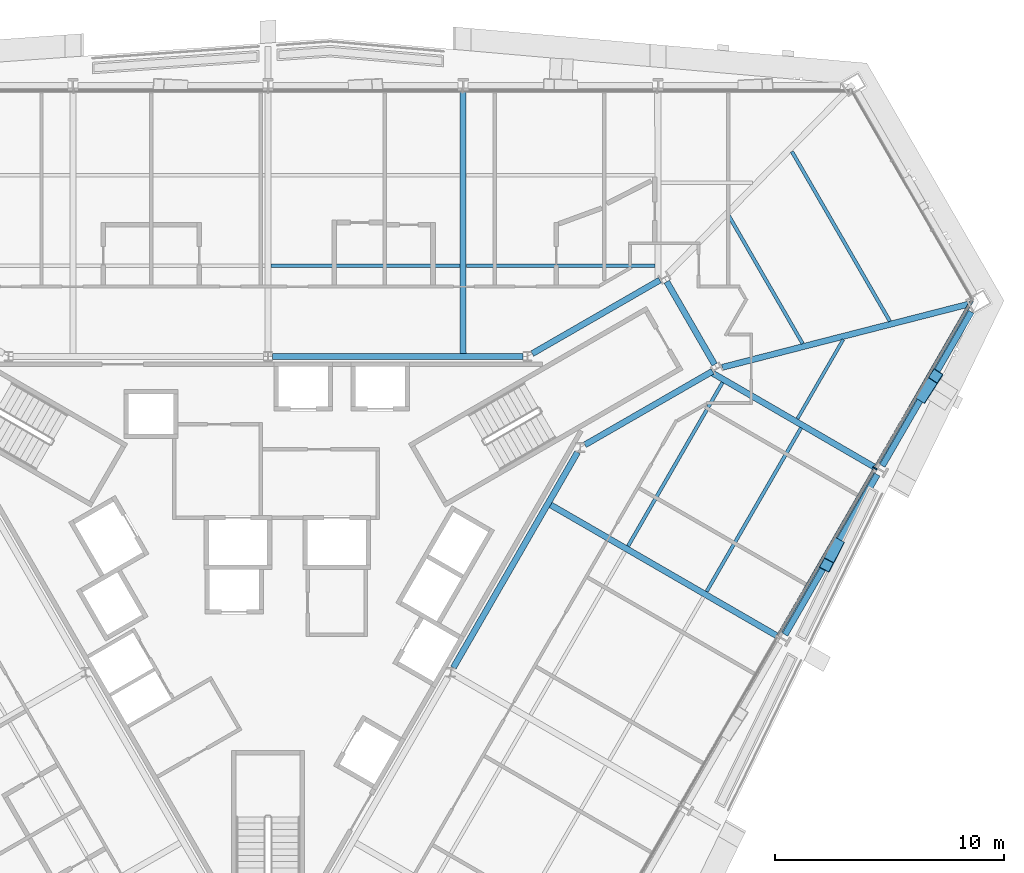
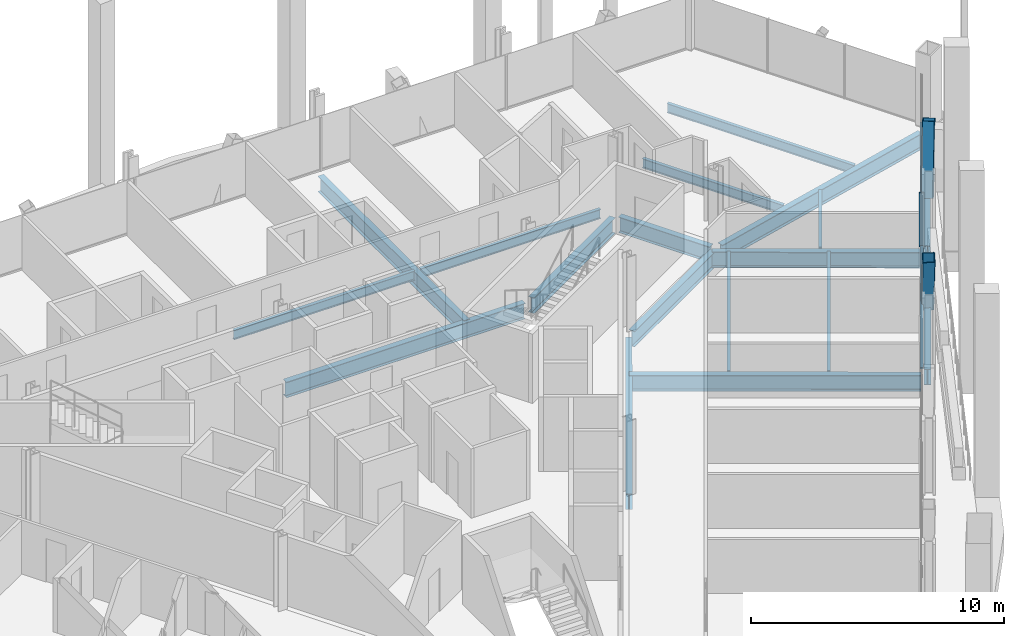
# One storey, part 6 of 18: 18 beams, 5 members, 1 element without a shape of its own.
"""IFC4 building model written with IfcOpenShell, lengths in metres."""

from ifc_helpers import new_model, si_unit, direction, frame, origin, origin_2d, place, context, subcontext, project, spatial, rectangle, hollow_rectangle, i_section, extrude, material, material_profile, profile_set, type_object, element, aggregate, save


model = new_model("IFC4")

# Units and contexts
model_context = context("Model", 3, precision=1e-05, world=origin(), true_north=direction((0.0, 1.0)))
body_context = subcontext(model_context, "Body", "Model", "MODEL_VIEW")
ifc_project = project(units=[si_unit("LENGTHUNIT", "METRE"), si_unit("AREAUNIT", "SQUARE_METRE"), si_unit("VOLUMEUNIT", "CUBIC_METRE"), si_unit("PLANEANGLEUNIT", "RADIAN"), si_unit("MASSUNIT", "GRAM", prefix="KILO")], contexts=[model_context])

# Site, building, storey
site_placement = place(None, origin())
site = spatial("IfcSite", under=ifc_project, at=site_placement, CompositionType="ELEMENT")
building_placement = place(site_placement, origin())
building = spatial("IfcBuilding", under=site, at=building_placement, Name="Verrane Prism Tower", CompositionType="ELEMENT")
storey_placement = place(building_placement, frame((0.0, 0.0, 47.60009765625)))
storey = spatial("IfcBuildingStorey", under=building, at=storey_placement, Name="L09", CompositionType="ELEMENT", Elevation=47.60009765625)

# Beams
ifc_material_1 = material(Name="Steel A992", Category="steel")
ifc_material_profile_1 = material_profile(ifc_material_1, i_section(OverallWidth=0.2666015625, OverallDepth=0.7568359375, WebThickness=0.013916015625, FlangeThickness=0.019287109375, FilletRadius=0.0166015625, at=origin_2d()), Name="W30x108")
ifc_profile_set_1 = profile_set([ifc_material_profile_1], Name="Steel A992")
beam_type_1 = type_object("IfcBeamType", Name="Core ring girder W30x108", PredefinedType="BEAM", material=ifc_profile_set_1)
beam_1_placement = place(storey_placement, frame((13.833251953125, 5.337158203125, -0.628662109375), z_axis=(0.86646365882, 0.499240150574, 0.0), x_axis=(-0.499240150574, 0.86646365882, 0.0)))
element("IfcBeam", 1, at=beam_1_placement, inside=storey, type_object=beam_type_1, Name="Core ring girder L09", PredefinedType="BEAM", context=body_context, shape_type="SweptSolid", body=[
    extrude(i_section(OverallWidth=0.2666015625, OverallDepth=0.7568359375, WebThickness=0.013916015625, FlangeThickness=0.019287109375, FilletRadius=0.0166015625, at=origin_2d()), origin(), (0.0, 0.0, 1.0), 6.42822265625),
])
beam_2_placement = place(storey_placement, frame((19.4951171875, 8.84130859375, -0.628662109375), z_axis=(-0.500349643494, 0.865823442888, 0.0), x_axis=(-0.865823442888, -0.500349643494, 0.0)))
element("IfcBeam", 2, at=beam_2_placement, inside=storey, type_object=beam_type_1, Name="Core ring girder L09", PredefinedType="BEAM", context=body_context, shape_type="SweptSolid", body=[
    extrude(i_section(OverallWidth=0.2666015625, OverallDepth=0.7568359375, WebThickness=0.013916015625, FlangeThickness=0.019287109375, FilletRadius=0.0166015625, at=origin_2d()), origin(), (0.0, 0.0, 1.0), 4.177734375),
])
beam_3_placement = place(storey_placement, frame((17.10302734375, 12.526611328125, -0.628662109375), z_axis=(-0.866447229751, -0.499268663203, 0.0), x_axis=(0.499268663203, -0.866447229751, 0.0)))
element("IfcBeam", 3, at=beam_3_placement, inside=storey, type_object=beam_type_1, Name="Core ring girder L09", PredefinedType="BEAM", context=body_context, shape_type="SweptSolid", body=[
    extrude(i_section(OverallWidth=0.2666015625, OverallDepth=0.7568359375, WebThickness=0.013916015625, FlangeThickness=0.019287109375, FilletRadius=0.0166015625, at=origin_2d()), origin(), (0.0, 0.0, 1.0), 6.428466796875),
])
beam_4_placement = place(storey_placement, frame((11.126708984375, 9.199951171875, -0.628662109375), z_axis=(-1.0, 0.0, 0.0), x_axis=(0.0, -1.0, 0.0)))
element("IfcBeam", 4, at=beam_4_placement, inside=storey, type_object=beam_type_1, Name="Core ring girder L09", PredefinedType="BEAM", context=body_context, shape_type="SweptSolid", body=[
    extrude(i_section(OverallWidth=0.2666015625, OverallDepth=0.7568359375, WebThickness=0.013916015625, FlangeThickness=0.019287109375, FilletRadius=0.0166015625, at=origin_2d()), origin(), (0.0, 0.0, 1.0), 10.923583984375),
])
beam_5_placement = place(storey_placement, frame((8.090087890625, -4.3916015625, -0.628662109375), z_axis=(0.499371892062, 0.866387738498, 0.0), x_axis=(-0.866387738498, 0.499371892062, 0.0)))
element("IfcBeam", 5, at=beam_5_placement, inside=storey, type_object=beam_type_1, Name="Core ring girder L09", PredefinedType="BEAM", context=body_context, shape_type="SweptSolid", body=[
    extrude(i_section(OverallWidth=0.2666015625, OverallDepth=0.7568359375, WebThickness=0.013916015625, FlangeThickness=0.019287109375, FilletRadius=0.0166015625, at=origin_2d()), origin(), (0.0, 0.0, 1.0), 10.853515625),
])
ifc_material_2 = material(Name="Steel A992", Category="steel")
ifc_material_profile_2 = material_profile(ifc_material_2, i_section(OverallWidth=0.2666015625, OverallDepth=0.76708984375, WebThickness=0.014892578125, FlangeThickness=0.023681640625, FilletRadius=0.0166015625, at=origin_2d()), Name="W30x124")
ifc_profile_set_2 = profile_set([ifc_material_profile_2], Name="Steel A992")
beam_type_2 = type_object("IfcBeamType", Name="Corner girder W30x124", PredefinedType="BEAM", material=ifc_profile_set_2)
beam_6_placement = place(storey_placement, frame((30.5673828125, 11.473876953125, -0.603515625), z_axis=(-0.968629214838, -0.248510450813, 0.0), x_axis=(0.248510450813, -0.968629214838, 0.0)))
element("IfcBeam", 6, at=beam_6_placement, inside=storey, type_object=beam_type_2, Name="Corner girder L09", PredefinedType="BEAM", context=body_context, shape_type="SweptSolid", body=[
    extrude(i_section(OverallWidth=0.2666015625, OverallDepth=0.76708984375, WebThickness=0.014892578125, FlangeThickness=0.023681640625, FilletRadius=0.0166015625, at=origin_2d()), origin(), (0.0, 0.0, 1.0), 11.086669921875),
])

# Members
ifc_material_3 = material(Name="Steel A1085 Grade A", Category="steel")
ifc_material_profile_3 = material_profile(ifc_material_3, hollow_rectangle(XDim=0.508056640625, YDim=0.508056640625, WallThickness=0.025390625, InnerFilletRadius=0.0126953125, OuterFilletRadius=0.0380859375, at=origin_2d()), Name="HSS20x20x1")
ifc_profile_set_3 = profile_set([ifc_material_profile_3], Name="Steel A1085 Grade A")
member_type_1 = type_object("IfcMemberType", Name="Facade brace HSS20x20x1", PredefinedType="BRACE", material=ifc_profile_set_3)
member_1_placement = place(storey_placement, frame((24.838134765625, 0.983642578125, -0.24267578125), z_axis=(-0.144253831639, -0.282272572369, 0.948426605988), x_axis=(0.890458735795, -0.455063995331, 0.0)))
element("IfcMember", 7, at=member_1_placement, inside=storey, type_object=member_type_1, Name="Facade brace SE4 L09", PredefinedType="BRACE", context=body_context, shape_type="SweptSolid", body=[
    extrude(hollow_rectangle(XDim=0.508056640625, YDim=0.508056640625, WallThickness=0.025390625, InnerFilletRadius=0.0126953125, OuterFilletRadius=0.0380859375, at=origin_2d()), origin(), (0.0, 0.0, 1.0), 3.171630859375),
])
member_2_placement = place(storey_placement, frame((28.581298828125, 7.4716796875, -0.24267578125), z_axis=(0.176632688718, 0.273926454702, 0.945391554167), x_axis=(-0.840428081758, 0.541923093615, 0.0)))
element("IfcMember", 8, at=member_2_placement, inside=storey, type_object=member_type_1, Name="Facade brace SE5 L09", PredefinedType="BRACE", context=body_context, shape_type="SweptSolid", body=[
    extrude(hollow_rectangle(XDim=0.508056640625, YDim=0.508056640625, WallThickness=0.025390625, InnerFilletRadius=0.0126953125, OuterFilletRadius=0.0380859375, at=origin_2d()), origin(), (0.0, 0.0, 1.0), 3.181884765625),
])

# Beams
ifc_material_4 = material(Name="Steel A992", Category="steel")
ifc_material_profile_4 = material_profile(ifc_material_4, i_section(OverallWidth=0.140380859375, OverallDepth=0.40380859375, WebThickness=0.007080078125, FlangeThickness=0.01123046875, FilletRadius=0.01025390625, at=origin_2d()), Name="W16x31")
ifc_profile_set_4 = profile_set([ifc_material_profile_4], Name="Steel A992")
beam_type_3 = type_object("IfcBeamType", Name="Floor beam W16x31", PredefinedType="BEAM", material=ifc_profile_set_4)
beam_7_placement = place(storey_placement, frame((23.113525390625, 6.4794921875, -0.362060546875), z_axis=(0.500001357645, 0.866024619946, 0.0), x_axis=(-0.866024619946, 0.500001357645, 0.0)))
element("IfcBeam", 9, at=beam_7_placement, inside=storey, type_object=beam_type_3, Name="Floor beam L09", PredefinedType="BEAM", context=body_context, shape_type="SweptSolid", body=[
    extrude(i_section(OverallWidth=0.140380859375, OverallDepth=0.40380859375, WebThickness=0.007080078125, FlangeThickness=0.01123046875, FilletRadius=0.01025390625, at=origin_2d()), origin(), (0.0, 0.0, 1.0), 3.99072265625),
])
ifc_material_5 = material(Name="Steel A992", Category="steel")
ifc_material_profile_5 = material_profile(ifc_material_5, i_section(OverallWidth=0.15234375, OverallDepth=0.449462890625, WebThickness=0.007568359375, FlangeThickness=0.0107421875, FilletRadius=0.01025390625, at=origin_2d()), Name="W18x35")
ifc_profile_set_5 = profile_set([ifc_material_profile_5], Name="Steel A992")
beam_type_4 = type_object("IfcBeamType", Name="Floor beam W18x35", PredefinedType="BEAM", material=ifc_profile_set_5)
beam_8_placement = place(storey_placement, frame((8.653564453125, 13.15673828125, -0.385009765625), z_axis=(1.0, 0.0, 0.0), x_axis=(0.0, 1.0, 0.0)))
element("IfcBeam", 10, at=beam_8_placement, inside=storey, type_object=beam_type_4, Name="Floor beam L09", PredefinedType="BEAM", context=body_context, shape_type="SweptSolid", body=[
    extrude(i_section(OverallWidth=0.15234375, OverallDepth=0.449462890625, WebThickness=0.007568359375, FlangeThickness=0.0107421875, FilletRadius=0.01025390625, at=origin_2d()), origin(), (0.0, 0.0, 1.0), 8.242919921875),
])
beam_9_placement = place(storey_placement, frame((0.133544921875, 13.15673828125, -0.385009765625), z_axis=(1.0, 0.0, 0.0), x_axis=(0.0, 1.0, 0.0)))
element("IfcBeam", 11, at=beam_9_placement, inside=storey, type_object=beam_type_4, Name="Floor beam L09", PredefinedType="BEAM", context=body_context, shape_type="SweptSolid", body=[
    extrude(i_section(OverallWidth=0.15234375, OverallDepth=0.449462890625, WebThickness=0.007568359375, FlangeThickness=0.0107421875, FilletRadius=0.01025390625, at=origin_2d()), origin(), (0.0, 0.0, 1.0), 8.2529296875),
])
beam_10_placement = place(storey_placement, frame((19.146728515625, -1.064453125, -0.385009765625), z_axis=(0.499987164874, 0.866032814021, 0.0), x_axis=(-0.866032814021, 0.499987164874, 0.0)))
element("IfcBeam", 12, at=beam_10_placement, inside=storey, type_object=beam_type_4, Name="Floor beam L09", PredefinedType="BEAM", context=body_context, shape_type="SweptSolid", body=[
    extrude(i_section(OverallWidth=0.15234375, OverallDepth=0.449462890625, WebThickness=0.007568359375, FlangeThickness=0.0107421875, FilletRadius=0.01025390625, at=origin_2d()), origin(), (0.0, 0.0, 1.0), 8.249755859375),
])
beam_11_placement = place(storey_placement, frame((15.716796875, 0.91552734375, -0.385009765625), z_axis=(0.499996545922, 0.866027397988, 0.0), x_axis=(-0.866027397988, 0.499996545922, 0.0)))
element("IfcBeam", 13, at=beam_11_placement, inside=storey, type_object=beam_type_4, Name="Floor beam L09", PredefinedType="BEAM", context=body_context, shape_type="SweptSolid", body=[
    extrude(i_section(OverallWidth=0.15234375, OverallDepth=0.449462890625, WebThickness=0.007568359375, FlangeThickness=0.0107421875, FilletRadius=0.01025390625, at=origin_2d()), origin(), (0.0, 0.0, 1.0), 8.25),
])
beam_12_placement = place(storey_placement, frame((27.145263671875, 10.733642578125, -0.385009765625), z_axis=(-0.499989342298, 0.866031556924, 0.0), x_axis=(-0.866031556924, -0.499989342298, 0.0)))
element("IfcBeam", 14, at=beam_12_placement, inside=storey, type_object=beam_type_4, Name="Floor beam L09", PredefinedType="BEAM", context=body_context, shape_type="SweptSolid", body=[
    extrude(i_section(OverallWidth=0.15234375, OverallDepth=0.449462890625, WebThickness=0.007568359375, FlangeThickness=0.0107421875, FilletRadius=0.01025390625, at=origin_2d()), origin(), (0.0, 0.0, 1.0), 8.552001953125),
])
beam_13_placement = place(storey_placement, frame((23.337158203125, 9.756591796875, -0.385009765625), z_axis=(-0.49999063097, 0.866030812929, 0.0), x_axis=(-0.866030812929, -0.49999063097, 0.0)))
element("IfcBeam", 15, at=beam_13_placement, inside=storey, type_object=beam_type_4, Name="Floor beam L09", PredefinedType="BEAM", context=body_context, shape_type="SweptSolid", body=[
    extrude(i_section(OverallWidth=0.15234375, OverallDepth=0.449462890625, WebThickness=0.007568359375, FlangeThickness=0.0107421875, FilletRadius=0.01025390625, at=origin_2d()), origin(), (0.0, 0.0, 1.0), 6.435546875),
])

# Curtain wall, member
ifc_material_6 = material(Name="Aluminium framed insulated glazing", Category="aluminium")
curtain_wall_type = type_object("IfcCurtainWallType", Name="Curtain wall CW-A 8400 module", PredefinedType="NOTDEFINED", material=ifc_material_6)
curtain_wall_placement = place(storey_placement, origin())
curtain_wall = element("IfcCurtainWall", 16, at=curtain_wall_placement, inside=storey, type_object=curtain_wall_type, Name="Glazed curtain wall south-east face L09", PredefinedType="NOTDEFINED")
ifc_material_7 = material(Name="Aluminium alloy 6063-T6", Category="aluminium")
ifc_material_profile_6 = material_profile(ifc_material_7, rectangle(XDim=0.199951171875, YDim=0.070068359375, at=origin_2d()), Name="Mullion 70x200 aluminium")
ifc_profile_set_6 = profile_set([ifc_material_profile_6], Name="Aluminium alloy 6063-T6")
member_type_2 = type_object("IfcMemberType", Name="Mullion 70x200 aluminium", PredefinedType="MULLION", material=ifc_profile_set_6)
member_3_placement = place(storey_placement, frame((26.497314453125, 4.312744140625, 0.0), z_axis=(0.0, 0.0, 1.0), x_axis=(-0.866025694591, 0.499999496308, 0.0)))
member_3 = element("IfcMember", 17, at=member_3_placement, type_object=member_type_2, Name="CW09.6 mullion 6", PredefinedType="MULLION", context=body_context, shape_type="SweptSolid", body=[
    extrude(rectangle(XDim=0.199951171875, YDim=0.070068359375, at=origin_2d()), origin(), (0.0, 0.0, 1.0), 2.61279296875),
])

# Beams
ifc_material_8 = material(Name="Steel A992", Category="steel")
ifc_material_profile_7 = material_profile(ifc_material_8, i_section(OverallWidth=0.2666015625, OverallDepth=0.76708984375, WebThickness=0.014892578125, FlangeThickness=0.023681640625, FilletRadius=0.0166015625, at=origin_2d()), Name="W30x124")
ifc_profile_set_7 = profile_set([ifc_material_profile_7], Name="Steel A992")
beam_type_5 = type_object("IfcBeamType", Name="Radial girder W30x124", PredefinedType="BEAM", material=ifc_profile_set_7)
beam_14_placement = place(storey_placement, frame((8.510009765625, 20.753662109375, -0.603515625), z_axis=(0.000866367691, -0.999999624703, 0.0), x_axis=(0.999999624703, 0.000866367691, 0.0)))
element("IfcBeam", 18, at=beam_14_placement, inside=storey, type_object=beam_type_5, Name="Radial girder L09", PredefinedType="BEAM", context=body_context, shape_type="SweptSolid", body=[
    extrude(i_section(OverallWidth=0.2666015625, OverallDepth=0.76708984375, WebThickness=0.014892578125, FlangeThickness=0.023681640625, FilletRadius=0.0166015625, at=origin_2d()), origin(), (0.0, 0.0, 1.0), 11.5537109375),
])
beam_15_placement = place(storey_placement, frame((22.231201171875, -3.010009765625, -0.603515625), z_axis=(-0.865616575533, 0.500707443686, 0.0), x_axis=(-0.500707443686, -0.865616575533, 0.0)))
element("IfcBeam", 19, at=beam_15_placement, inside=storey, type_object=beam_type_5, Name="Radial girder L09", PredefinedType="BEAM", context=body_context, shape_type="SweptSolid", body=[
    extrude(i_section(OverallWidth=0.2666015625, OverallDepth=0.76708984375, WebThickness=0.014892578125, FlangeThickness=0.023681640625, FilletRadius=0.0166015625, at=origin_2d()), origin(), (0.0, 0.0, 1.0), 11.561767578125),
])
beam_16_placement = place(storey_placement, frame((26.477783203125, 4.36181640625, -0.603515625), z_axis=(-0.86491107798, 0.501925121096, 0.0), x_axis=(-0.501925121096, -0.86491107798, 0.0)))
element("IfcBeam", 20, at=beam_16_placement, inside=storey, type_object=beam_type_5, Name="Radial girder L09", PredefinedType="BEAM", context=body_context, shape_type="SweptSolid", body=[
    extrude(i_section(OverallWidth=0.2666015625, OverallDepth=0.76708984375, WebThickness=0.014892578125, FlangeThickness=0.023681640625, FilletRadius=0.0166015625, at=origin_2d()), origin(), (0.0, 0.0, 1.0), 8.2587890625),
])
ifc_material_9 = material(Name="Steel A992", Category="steel")
ifc_material_profile_8 = material_profile(ifc_material_9, i_section(OverallWidth=0.2666015625, OverallDepth=0.7568359375, WebThickness=0.013916015625, FlangeThickness=0.019287109375, FilletRadius=0.0166015625, at=origin_2d()), Name="W30x108")
ifc_profile_set_8 = profile_set([ifc_material_profile_8], Name="Steel A992")
beam_type_6 = type_object("IfcBeamType", Name="Spandrel beam W30x108", PredefinedType="SPANDREL", material=ifc_profile_set_8)
beam_17_placement = place(storey_placement, frame((22.5712890625, -2.95166015625, -0.53857421875), z_axis=(0.499154571074, 0.866512962497, 0.0), x_axis=(-0.866512962497, 0.499154571074, 0.0)))
element("IfcBeam", 21, at=beam_17_placement, inside=storey, type_object=beam_type_6, Name="Spandrel beam L09", PredefinedType="SPANDREL", context=body_context, shape_type="SweptSolid", body=[
    extrude(i_section(OverallWidth=0.2666015625, OverallDepth=0.7568359375, WebThickness=0.013916015625, FlangeThickness=0.019287109375, FilletRadius=0.0166015625, at=origin_2d()), origin(), (0.0, 0.0, 1.0), 8.0654296875),
])
beam_18_placement = place(storey_placement, frame((26.818115234375, 4.419921875, -0.53857421875), z_axis=(0.500256110258, 0.865877487956, 0.0), x_axis=(-0.865877487956, 0.500256110258, 0.0)))
element("IfcBeam", 22, at=beam_18_placement, inside=storey, type_object=beam_type_6, Name="Spandrel beam L09", PredefinedType="SPANDREL", context=body_context, shape_type="SweptSolid", body=[
    extrude(i_section(OverallWidth=0.2666015625, OverallDepth=0.7568359375, WebThickness=0.013916015625, FlangeThickness=0.019287109375, FilletRadius=0.0166015625, at=origin_2d()), origin(), (0.0, 0.0, 1.0), 7.76123046875),
])

# Member
ifc_material_10 = material(Name="Aluminium alloy 6063-T6", Category="aluminium")
ifc_material_profile_9 = material_profile(ifc_material_10, rectangle(XDim=0.14990234375, YDim=0.070068359375, at=origin_2d()), Name="Transom 70x150 aluminium")
ifc_profile_set_9 = profile_set([ifc_material_profile_9], Name="Aluminium alloy 6063-T6")
member_type_3 = type_object("IfcMemberType", Name="Transom 70x150 aluminium", PredefinedType="USERDEFINED", material=ifc_profile_set_9)
member_4_placement = place(storey_placement, frame((22.268798828125, -3.01123046875, 0.034912109375), z_axis=(0.500005175824, 0.866022415501, 0.0), x_axis=(-0.866022415501, 0.500005175824, 0.0)))
member_4 = element("IfcMember", 23, at=member_4_placement, type_object=member_type_3, Name="CW09.6 transom 5", ObjectType="TRANSOM", PredefinedType="USERDEFINED", context=body_context, shape_type="SweptSolid", body=[
    extrude(rectangle(XDim=0.14990234375, YDim=0.070068359375, at=origin_2d()), origin(), (0.0, 0.0, 1.0), 8.421875),
])

member_5_placement = place(storey_placement, frame((26.5146484375, 4.343017578125, 0.034912109375), z_axis=(0.500014000576, 0.866017320397, 0.0), x_axis=(-0.866017320397, 0.500014000576, 0.0)))
member_5 = element("IfcMember", 24, at=member_5_placement, type_object=member_type_3, Name="CW09.6 transom 6", ObjectType="TRANSOM", PredefinedType="USERDEFINED", context=body_context, shape_type="SweptSolid", body=[
    extrude(rectangle(XDim=0.14990234375, YDim=0.070068359375, at=origin_2d()), origin(), (0.0, 0.0, 1.0), 8.456787109375),
])

aggregate(curtain_wall, [member_3, member_4, member_5])

save(model, "model.ifc")
